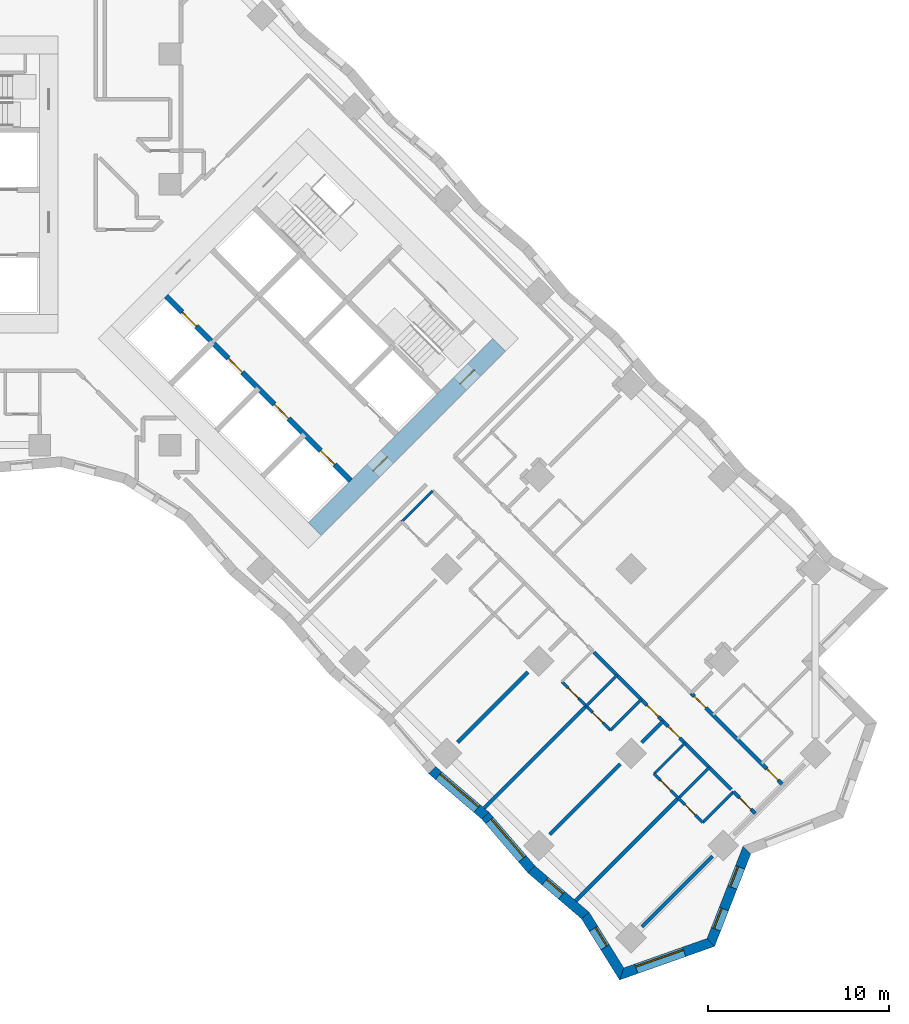
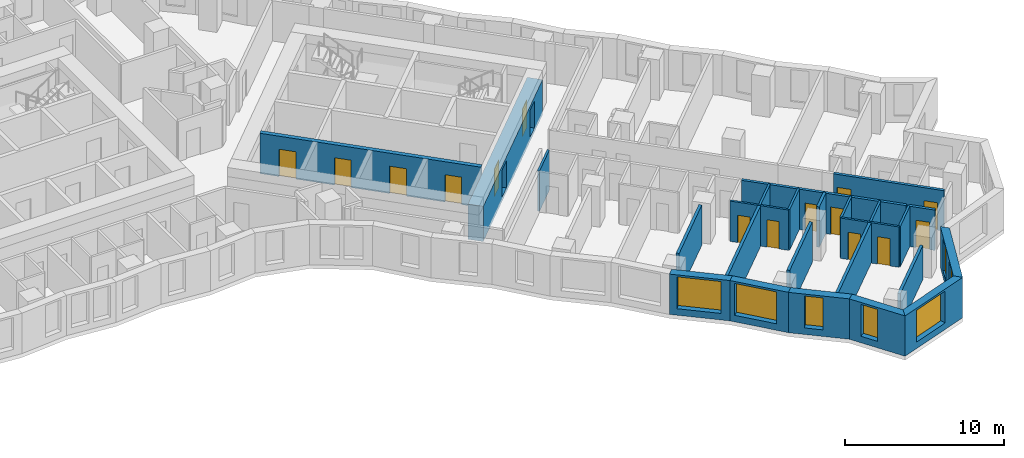
# One storey, part 8 of 15: 26 walls, 15 doors, 7 windows, 22 openings.
"""IFC4 building model written with IfcOpenShell, lengths in metres."""

import ifcopenshell
import ifcopenshell.guid

model = None  # the IFC model being written
_history = None  # IfcOwnerHistory: only IFC2X3 demands one
_inside = {}  # id of a spatial element -> (the spatial element, [elements in it])
_under = {}  # id of a project, library or spatial element -> (it, [spatial elements below it])
_declared = {}  # id of a project -> (the project, [libraries it declares])
_typed = {}  # id of a type object -> (the type object, [elements of that type])
_made_of = {}  # id of a material, layer set ... -> (it, [elements and type objects made of it])


def new_model(schema):
    """Start an empty IFC model of exactly this schema.

    Asked for "IFC4X3", IfcOpenShell would pick the latest addendum, in which some entities
    have other attributes; the version numbers below select the first issue.
    IFC2X3 requires an IfcOwnerHistory on every rooted entity: one is made here for all.
    """
    global model, _history
    if schema == "IFC4X3":
        model = ifcopenshell.file(schema_version=(4, 3, 0, 0))
    else:
        model = ifcopenshell.file(schema=schema)
    _inside.clear()
    _under.clear()
    _declared.clear()
    _typed.clear()
    _made_of.clear()
    _history = None
    if model.schema == "IFC2X3":
        org = make("IfcOrganization", Name="unknown")
        user = make(
            "IfcPersonAndOrganization",
            ThePerson=make("IfcPerson", FamilyName="unknown"),
            TheOrganization=org,
        )
        app = make(
            "IfcApplication",
            ApplicationDeveloper=org,
            Version="unknown",
            ApplicationFullName="unknown",
            ApplicationIdentifier="unknown",
        )
        _history = make(
            "IfcOwnerHistory",
            OwningUser=user,
            OwningApplication=app,
            ChangeAction="ADDED",
            CreationDate=0,
        )
    return model


def make(cls, **values):
    """One entity of the class cls with the attributes given. An attribute that is None is left unset."""
    return model.create_entity(
        cls, **{name: value for name, value in values.items() if value is not None}
    )


def rooted(cls, **values):
    """An entity with a GlobalId (a new one), such as an element, a storey or a relation."""
    return make(cls, GlobalId=ifcopenshell.guid.new(), OwnerHistory=_history, **values)


def si_unit(unit_type, name, prefix=None):
    """IfcSIUnit, for example si_unit("LENGTHUNIT", "METRE", prefix="MILLI")."""
    return make("IfcSIUnit", UnitType=unit_type, Prefix=prefix, Name=name)


def assignment(units):
    """IfcUnitAssignment: the units of a project."""
    return None if units is None else make("IfcUnitAssignment", Units=units)


def point(xyz):
    """IfcCartesianPoint."""
    return None if xyz is None else make("IfcCartesianPoint", Coordinates=xyz)


def direction(xyz):
    """IfcDirection."""
    return None if xyz is None else make("IfcDirection", DirectionRatios=xyz)


def frame(location, z_axis=None, x_axis=None):
    """IfcAxis2Placement3D, a coordinate frame: its origin and axes. An axis left out is left unset."""
    return make(
        "IfcAxis2Placement3D",
        Location=point(location),
        Axis=direction(z_axis),
        RefDirection=direction(x_axis),
    )


def frame_2d(location, x_axis=None):
    """IfcAxis2Placement2D, a coordinate frame in the plane: its origin and x axis."""
    return make(
        "IfcAxis2Placement2D", Location=point(location), RefDirection=direction(x_axis)
    )


def origin():
    """The frame at (0, 0, 0) with its axes left unset."""
    return frame((0.0, 0.0, 0.0))


def place(relative_to, where):
    """IfcLocalPlacement: puts the frame where relative to a parent placement (None: the world)."""
    return make(
        "IfcLocalPlacement", PlacementRelTo=relative_to, RelativePlacement=where
    )


def context(
    kind, dimensions, precision=None, world=None, true_north=None, identifier=None
):
    """IfcGeometricRepresentationContext, for example the 3D "Model" context."""
    return make(
        "IfcGeometricRepresentationContext",
        ContextIdentifier=identifier,
        ContextType=kind,
        CoordinateSpaceDimension=dimensions,
        Precision=precision,
        WorldCoordinateSystem=world,
        TrueNorth=true_north,
    )


def subcontext(parent, identifier, kind, view, scale=None):
    """IfcGeometricRepresentationSubContext, for example "Body" below "Model"."""
    return make(
        "IfcGeometricRepresentationSubContext",
        ContextIdentifier=identifier,
        ContextType=kind,
        ParentContext=parent,
        TargetScale=scale,
        TargetView=view,
    )


def project(units=None, contexts=None):
    """IfcProject with its units and contexts."""
    return rooted(
        "IfcProject",
        Name="project",
        RepresentationContexts=contexts,
        UnitsInContext=assignment(units),
    )


def spatial(cls, under=None, at=None, **own):
    """A site, building, storey or space (cls), placed at a placement, below another one or the project."""
    s = rooted(cls, ObjectPlacement=at, **own)
    if under is not None:
        _under.setdefault(under.id(), (under, []))[1].append(s)
    return s


def polyline(points):
    """IfcPolyline through the points."""
    return make("IfcPolyline", Points=[point(p) for p in points])


def profile(cls, at=None, kind="AREA", **sizes):
    """A parametric profile (cls). Its sizes go by their IFC names, for example OverallWidth=200.0."""
    return make(cls, ProfileType=kind, Position=at, **sizes)


def rectangle(**sizes):
    """IfcRectangleProfileDef."""
    return profile("IfcRectangleProfileDef", **sizes)


def outline(outer, holes=None, kind="AREA"):
    """IfcArbitraryClosedProfileDef: a profile drawn as a closed curve; with holes, ...WithVoids."""
    if holes is None:
        return make("IfcArbitraryClosedProfileDef", ProfileType=kind, OuterCurve=outer)
    return make(
        "IfcArbitraryProfileDefWithVoids",
        ProfileType=kind,
        OuterCurve=outer,
        InnerCurves=holes,
    )


def extrude(swept, where, along, depth):
    """IfcExtrudedAreaSolid: the profile swept, set in the frame where, extruded along a direction by depth."""
    return make(
        "IfcExtrudedAreaSolid",
        SweptArea=swept,
        Position=where,
        ExtrudedDirection=direction(along),
        Depth=depth,
    )


def shape(context_of_items, identifier, shape_type, items):
    """IfcShapeRepresentation: the items that make up one representation, for example the "Body"."""
    return make(
        "IfcShapeRepresentation",
        ContextOfItems=context_of_items,
        RepresentationIdentifier=identifier,
        RepresentationType=shape_type,
        Items=items,
    )


def material(Name=None, Category=None):
    """IfcMaterial."""
    return make("IfcMaterial", Name=Name, Category=Category)


def layer(
    of_material, thickness, ventilated=None, Name=None, Category=None, Priority=None
):
    """IfcMaterialLayer: one layer of a wall or slab, of a material (None: an air gap)."""
    return make(
        "IfcMaterialLayer",
        Material=of_material,
        LayerThickness=thickness,
        IsVentilated=ventilated,
        Name=Name,
        Category=Category,
        Priority=Priority,
    )


def layer_set(layers, Name=None):
    """IfcMaterialLayerSet."""
    return make("IfcMaterialLayerSet", MaterialLayers=layers, LayerSetName=Name)


def made_of(thing, what):
    """Note that an element or type object is made of a material, layer set ...; save() writes the relation."""
    if what is not None:
        _made_of.setdefault(what.id(), (what, []))[1].append(thing)
    return thing


def type_object(cls, material=None, **own):
    """A type object (cls), such as IfcWallType, which elements share."""
    return made_of(rooted(cls, **own), material)


def element(
    cls,
    number,
    at=None,
    inside=None,
    cuts=None,
    type_object=None,
    material=None,
    context=None,
    identifier="Body",
    shape_type=None,
    held_by="IfcProductDefinitionShape",
    body=None,
    shapes=None,
    **own,
):
    """One element of the class cls, such as IfcWall. Its Tag is "e" and its number.

    at: its placement. inside: the storey or other place that contains it. cuts: it is an
    opening in that element (IfcRelVoidsElement). A single representation is given by context,
    identifier, shape_type and body (its items); several are given by shapes. held_by: the class
    of the entity that holds the representations. save() writes the other relations.
    """
    e = rooted(cls, Tag="e%d" % number, ObjectPlacement=at, **own)
    if body is not None:
        shapes = [shape(context, identifier, shape_type, body)]
    if shapes is not None:
        e.Representation = make(held_by, Representations=shapes)
    if inside is not None:
        _inside.setdefault(inside.id(), (inside, []))[1].append(e)
    if cuts is not None:
        rooted(
            "IfcRelVoidsElement", RelatingBuildingElement=cuts, RelatedOpeningElement=e
        )
    if type_object is not None:
        _typed.setdefault(type_object.id(), (type_object, []))[1].append(e)
    return made_of(e, material)


def fill(opening, filler):
    """IfcRelFillsElement: the door or window that sits in an opening."""
    return rooted(
        "IfcRelFillsElement",
        RelatingOpeningElement=opening,
        RelatedBuildingElement=filler,
    )


def aggregate(whole, parts):
    """IfcRelAggregates: a whole, such as a stair, and the parts it consists of."""
    return rooted("IfcRelAggregates", RelatingObject=whole, RelatedObjects=parts)


def save(model, path):
    """Write the relations noted so far, then the file.

    IfcRelAggregates (storeys below a building ...), IfcRelContainedInSpatialStructure (elements
    in a storey), IfcRelDefinesByType, IfcRelAssociatesMaterial and IfcRelDeclares: one each for
    every whole, place, type object, material and project.
    """
    for whole, parts in _under.values():
        aggregate(whole, parts)
    for where, things in _inside.values():
        rooted(
            "IfcRelContainedInSpatialStructure",
            RelatedElements=things,
            RelatingStructure=where,
        )
    for kind, things in _typed.values():
        rooted("IfcRelDefinesByType", RelatedObjects=things, RelatingType=kind)
    for what, things in _made_of.values():
        rooted("IfcRelAssociatesMaterial", RelatedObjects=things, RelatingMaterial=what)
    for by, libraries in _declared.values():
        rooted("IfcRelDeclares", RelatingContext=by, RelatedDefinitions=libraries)
    model.write(path)


model = new_model("IFC4")

# Units and contexts
model_context = context("Model", 3, precision=1e-05, world=origin(), true_north=direction((0.0, 1.0)))
body_context = subcontext(model_context, "Body", "Model", "MODEL_VIEW")
ifc_project = project(units=[si_unit("LENGTHUNIT", "METRE"), si_unit("AREAUNIT", "SQUARE_METRE"), si_unit("VOLUMEUNIT", "CUBIC_METRE"), si_unit("PLANEANGLEUNIT", "RADIAN"), si_unit("MASSUNIT", "GRAM", prefix="KILO")], contexts=[model_context])

# Site, building, storey
site_placement = place(None, origin())
site = spatial("IfcSite", under=ifc_project, at=site_placement, CompositionType="ELEMENT")
building_placement = place(site_placement, origin())
building = spatial("IfcBuilding", under=site, at=building_placement, Name="Windrow Commons", CompositionType="ELEMENT")
storey_placement = place(building_placement, frame((0.0, 0.0, 27.0)))
storey = spatial("IfcBuildingStorey", under=building, at=storey_placement, Name="L06", CompositionType="ELEMENT", Elevation=27.0)

# Wall, opening, window
ifc_material_1 = material(Name="Brick masonry, red clay brick", Category="masonry")
ifc_layer_1 = layer(ifc_material_1, 0.55)
ifc_layer_set_1 = layer_set([ifc_layer_1], Name="Brick facade wall 550")
wall_type_1 = type_object("IfcWallType", Name="Brick facade wall 550", PredefinedType="SOLIDWALL", material=ifc_layer_set_1)
wall_1_placement = place(storey_placement, frame((104.1359, 13.9966, 0.0), z_axis=(0.0, 0.0, 1.0), x_axis=(0.9428162702, 0.3333128871, 0.0)))
wall_1 = element("IfcWall", 1, at=wall_1_placement, inside=storey, type_object=wall_type_1, Name="Brick facade wall L06 1", PredefinedType="SOLIDWALL", context=body_context, shape_type="SweptSolid", body=[
    extrude(outline(polyline([(-0.2208, -0.275), (5.3479, -0.275), (5.0962, 0.275), (0.2208, 0.275), (-0.2208, -0.275)])), origin(), (0.0, 0.0, 1.0), 3.1),
])
opening_1_placement = place(wall_1_placement, frame((0.8596, 0.0, 0.5)))
opening_1 = element("IfcOpeningElement", 2, at=opening_1_placement, cuts=wall_1, Name="Opening W1T", PredefinedType="OPENING", context=body_context, shape_type="SweptSolid", body=[
    extrude(rectangle(XDim=2.8, YDim=2.45, at=frame_2d((1.4, 1.225))), frame((0.0, 0.285, 0.0), z_axis=(0.0, -1.0, 0.0), x_axis=(1.0, 0.0, 0.0)), (0.0, 0.0, 1.0), 0.57),
])
ifc_material_2 = material(Name="Clear float glass in anodised aluminium frame", Category="aluminium")
window_type_1 = type_object("IfcWindowType", Name="Window W1T bedroom 2800x2450", PartitioningType="SINGLE_PANEL", PredefinedType="WINDOW", material=ifc_material_2)
window_1_placement = place(opening_1_placement, origin())
window_1 = element("IfcWindow", 3, at=window_1_placement, inside=storey, type_object=window_type_1, Name="Window L06 1.1", OverallHeight=2.45, OverallWidth=2.8, PartitioningType="SINGLE_PANEL", PredefinedType="WINDOW", context=body_context, shape_type="SweptSolid", body=[
    extrude(rectangle(XDim=2.8, YDim=2.45, at=frame_2d((1.4, 1.225))), frame((0.0, 0.155, 0.0), z_axis=(0.0, -1.0, 0.0), x_axis=(1.0, 0.0, 0.0)), (0.0, 0.0, 1.0), 0.06),
])
fill(opening_1, window_1)

# Wall, openings, windows
wall_2_placement = place(storey_placement, frame((109.0594, 15.7372, 0.0), z_axis=(0.0, 0.0, 1.0), x_axis=(0.3641557711, 0.9313380559, 0.0)))
wall_2 = element("IfcWall", 4, at=wall_2_placement, inside=storey, type_object=wall_type_1, Name="Brick facade wall L06 2", PredefinedType="SOLIDWALL", context=body_context, shape_type="SweptSolid", body=[
    extrude(outline(polyline([(-0.1258, -0.275), (5.3597, -0.275), (5.6005, 0.275), (0.1258, 0.275), (-0.1258, -0.275)])), origin(), (0.0, 0.0, 1.0), 3.1),
])
opening_2_placement = place(wall_2_placement, frame((0.7777, 0.0, 0.5)))
opening_2 = element("IfcOpeningElement", 5, at=opening_2_placement, cuts=wall_2, Name="Opening W7D", PredefinedType="OPENING", context=body_context, shape_type="SweptSolid", body=[
    extrude(rectangle(XDim=1.2, YDim=2.45, at=frame_2d((0.6, 1.225))), frame((0.0, 0.285, 0.0), z_axis=(0.0, -1.0, 0.0), x_axis=(1.0, 0.0, 0.0)), (0.0, 0.0, 1.0), 0.57),
])
opening_3_placement = place(wall_2_placement, frame((3.2549, 0.0, 0.5)))
opening_3 = element("IfcOpeningElement", 6, at=opening_3_placement, cuts=wall_2, Name="Opening W7D", PredefinedType="OPENING", context=body_context, shape_type="SweptSolid", body=[
    extrude(rectangle(XDim=1.2, YDim=2.45, at=frame_2d((0.6, 1.225))), frame((0.0, 0.285, 0.0), z_axis=(0.0, -1.0, 0.0), x_axis=(1.0, 0.0, 0.0)), (0.0, 0.0, 1.0), 0.57),
])
ifc_material_3 = material(Name="Clear float glass in anodised aluminium frame", Category="aluminium")
window_type_2 = type_object("IfcWindowType", Name="Window W7 notch 1200x2450", PartitioningType="SINGLE_PANEL", PredefinedType="WINDOW", material=ifc_material_3)
window_2_placement = place(opening_2_placement, origin())
window_2 = element("IfcWindow", 7, at=window_2_placement, inside=storey, type_object=window_type_2, Name="Window L06 2.1", OverallHeight=2.45, OverallWidth=1.2, PartitioningType="SINGLE_PANEL", PredefinedType="WINDOW", context=body_context, shape_type="SweptSolid", body=[
    extrude(rectangle(XDim=1.2, YDim=2.45, at=frame_2d((0.6, 1.225))), frame((0.0, 0.155, 0.0), z_axis=(0.0, -1.0, 0.0), x_axis=(1.0, 0.0, 0.0)), (0.0, 0.0, 1.0), 0.06),
])
fill(opening_2, window_2)
window_3_placement = place(opening_3_placement, origin())
window_3 = element("IfcWindow", 8, at=window_3_placement, inside=storey, type_object=window_type_2, Name="Window L06 2.2", OverallHeight=2.45, OverallWidth=1.2, PartitioningType="SINGLE_PANEL", PredefinedType="WINDOW", context=body_context, shape_type="SweptSolid", body=[
    extrude(rectangle(XDim=1.2, YDim=2.45, at=frame_2d((0.6, 1.225))), frame((0.0, 0.155, 0.0), z_axis=(0.0, -1.0, 0.0), x_axis=(1.0, 0.0, 0.0)), (0.0, 0.0, 1.0), 0.06),
])
fill(opening_3, window_3)

# Wall, opening, window
wall_3_placement = place(storey_placement, frame((93.6642, 25.2575, 0.0), z_axis=(0.0, 0.0, 1.0), x_axis=(0.7595050452, -0.6505014115, 0.0)))
wall_3 = element("IfcWall", 9, at=wall_3_placement, inside=storey, type_object=wall_type_1, Name="Brick facade wall L06 60", PredefinedType="SOLIDWALL", context=body_context, shape_type="SweptSolid", body=[
    extrude(outline(polyline([(-0.0213, -0.275), (3.8704, -0.275), (3.9129, 0.275), (0.0213, 0.275), (-0.0213, -0.275)])), origin(), (0.0, 0.0, 1.0), 3.1),
])
opening_4_placement = place(wall_3_placement, frame((0.4761, 0.0, 0.5)))
opening_4 = element("IfcOpeningElement", 10, at=opening_4_placement, cuts=wall_3, Name="Opening W1T", PredefinedType="OPENING", context=body_context, shape_type="SweptSolid", body=[
    extrude(rectangle(XDim=2.8, YDim=2.45, at=frame_2d((1.4, 1.225))), frame((0.0, 0.285, 0.0), z_axis=(0.0, -1.0, 0.0), x_axis=(1.0, 0.0, 0.0)), (0.0, 0.0, 1.0), 0.57),
])
window_4_placement = place(opening_4_placement, origin())
window_4 = element("IfcWindow", 11, at=window_4_placement, inside=storey, type_object=window_type_1, Name="Window L06 60.1", OverallHeight=2.45, OverallWidth=2.8, PartitioningType="SINGLE_PANEL", PredefinedType="WINDOW", context=body_context, shape_type="SweptSolid", body=[
    extrude(rectangle(XDim=2.8, YDim=2.45, at=frame_2d((1.4, 1.225))), frame((0.0, 0.155, 0.0), z_axis=(0.0, -1.0, 0.0), x_axis=(1.0, 0.0, 0.0)), (0.0, 0.0, 1.0), 0.06),
])
fill(opening_4, window_4)

wall_4_placement = place(storey_placement, frame((96.6199, 22.726, 0.0), z_axis=(0.0, 0.0, 1.0), x_axis=(0.6505014115, -0.7595050452, 0.0)))
wall_4 = element("IfcWall", 12, at=wall_4_placement, inside=storey, type_object=wall_type_1, Name="Brick facade wall L06 61", PredefinedType="SOLIDWALL", context=body_context, shape_type="SweptSolid", body=[
    extrude(outline(polyline([(0.0213, -0.275), (3.9129, -0.275), (3.8704, 0.275), (-0.0213, 0.275), (0.0213, -0.275)])), origin(), (0.0, 0.0, 1.0), 3.1),
])
opening_5_placement = place(wall_4_placement, frame((0.325, 0.0, 0.5)))
opening_5 = element("IfcOpeningElement", 13, at=opening_5_placement, cuts=wall_4, Name="Opening W1T", PredefinedType="OPENING", context=body_context, shape_type="SweptSolid", body=[
    extrude(rectangle(XDim=2.8, YDim=2.45, at=frame_2d((1.4, 1.225))), frame((0.0, 0.285, 0.0), z_axis=(0.0, -1.0, 0.0), x_axis=(1.0, 0.0, 0.0)), (0.0, 0.0, 1.0), 0.57),
])
window_5_placement = place(opening_5_placement, origin())
window_5 = element("IfcWindow", 14, at=window_5_placement, inside=storey, type_object=window_type_1, Name="Window L06 61.1", OverallHeight=2.45, OverallWidth=2.8, PartitioningType="SINGLE_PANEL", PredefinedType="WINDOW", context=body_context, shape_type="SweptSolid", body=[
    extrude(rectangle(XDim=2.8, YDim=2.45, at=frame_2d((1.4, 1.225))), frame((0.0, 0.155, 0.0), z_axis=(0.0, -1.0, 0.0), x_axis=(1.0, 0.0, 0.0)), (0.0, 0.0, 1.0), 0.06),
])
fill(opening_5, window_5)

wall_5_placement = place(storey_placement, frame((99.1514, 19.7703, 0.0), z_axis=(0.0, 0.0, 1.0), x_axis=(0.7595163258, -0.6504882403, 0.0)))
wall_5 = element("IfcWall", 15, at=wall_5_placement, inside=storey, type_object=wall_type_1, Name="Brick facade wall L06 62", PredefinedType="SOLIDWALL", context=body_context, shape_type="SweptSolid", body=[
    extrude(outline(polyline([(-0.0213, -0.275), (3.8704, -0.275), (3.955, 0.275), (0.0213, 0.275), (-0.0213, -0.275)])), origin(), (0.0, 0.0, 1.0), 3.1),
])
opening_6_placement = place(wall_5_placement, frame((0.9951, 0.0, 0.5)))
opening_6 = element("IfcOpeningElement", 16, at=opening_6_placement, cuts=wall_5, Name="Opening W7D", PredefinedType="OPENING", context=body_context, shape_type="SweptSolid", body=[
    extrude(rectangle(XDim=1.2, YDim=2.45, at=frame_2d((0.6, 1.225))), frame((0.0, 0.285, 0.0), z_axis=(0.0, -1.0, 0.0), x_axis=(1.0, 0.0, 0.0)), (0.0, 0.0, 1.0), 0.57),
])
window_6_placement = place(opening_6_placement, origin())
window_6 = element("IfcWindow", 17, at=window_6_placement, inside=storey, type_object=window_type_2, Name="Window L06 62.1", OverallHeight=2.45, OverallWidth=1.2, PartitioningType="SINGLE_PANEL", PredefinedType="WINDOW", context=body_context, shape_type="SweptSolid", body=[
    extrude(rectangle(XDim=1.2, YDim=2.45, at=frame_2d((0.6, 1.225))), frame((0.0, 0.155, 0.0), z_axis=(0.0, -1.0, 0.0), x_axis=(1.0, 0.0, 0.0)), (0.0, 0.0, 1.0), 0.06),
])
fill(opening_6, window_6)

wall_6_placement = place(storey_placement, frame((102.1232, 17.2251, 0.0), z_axis=(0.0, 0.0, 1.0), x_axis=(0.5290322638, -0.848601711, 0.0)))
wall_6 = element("IfcWall", 18, at=wall_6_placement, inside=storey, type_object=wall_type_1, Name="Brick facade wall L06 63", PredefinedType="SOLIDWALL", context=body_context, shape_type="SweptSolid", body=[
    extrude(outline(polyline([(0.0423, -0.275), (4.0254, -0.275), (3.5837, 0.275), (-0.0423, 0.275), (0.0423, -0.275)])), origin(), (0.0, 0.0, 1.0), 3.1),
])
opening_7_placement = place(wall_6_placement, frame((0.8649, 0.0, 0.5)))
opening_7 = element("IfcOpeningElement", 19, at=opening_7_placement, cuts=wall_6, Name="Opening W7D", PredefinedType="OPENING", context=body_context, shape_type="SweptSolid", body=[
    extrude(rectangle(XDim=1.2, YDim=2.45, at=frame_2d((0.6, 1.225))), frame((0.0, 0.285, 0.0), z_axis=(0.0, -1.0, 0.0), x_axis=(1.0, 0.0, 0.0)), (0.0, 0.0, 1.0), 0.57),
])
window_7_placement = place(opening_7_placement, origin())
window_7 = element("IfcWindow", 20, at=window_7_placement, inside=storey, type_object=window_type_2, Name="Window L06 63.1", OverallHeight=2.45, OverallWidth=1.2, PartitioningType="SINGLE_PANEL", PredefinedType="WINDOW", context=body_context, shape_type="SweptSolid", body=[
    extrude(rectangle(XDim=1.2, YDim=2.45, at=frame_2d((0.6, 1.225))), frame((0.0, 0.155, 0.0), z_axis=(0.0, -1.0, 0.0), x_axis=(1.0, 0.0, 0.0)), (0.0, 0.0, 1.0), 0.06),
])
fill(opening_7, window_7)

# Wall, openings, doors
ifc_material_4 = material(Name="Blockwork partition", Category="masonry")
ifc_layer_2 = layer(ifc_material_4, 0.2)
ifc_layer_set_2 = layer_set([ifc_layer_2], Name="IW-CORRIDOR-200")
wall_type_2 = type_object("IfcWallType", Name="IW-CORRIDOR-200", PredefinedType="PARTITIONING", material=ifc_layer_set_2)
wall_7_placement = place(storey_placement, frame((102.6093, 31.7693, 0.0), z_axis=(0.0, 0.0, 1.0), x_axis=(0.7071067812, -0.7071067812, 0.0)))
wall_7 = element("IfcWall", 21, at=wall_7_placement, inside=storey, type_object=wall_type_2, Name="W-L06-W006", PredefinedType="PARTITIONING", context=body_context, shape_type="SweptSolid", body=[
    extrude(rectangle(XDim=10.7226, YDim=0.2, at=frame_2d((5.3613, 0.0))), origin(), (0.0, 0.0, 1.0), 3.1),
])
opening_8_placement = place(wall_7_placement, frame((4.1497, 0.0, 0.0)))
opening_8 = element("IfcOpeningElement", 22, at=opening_8_placement, cuts=wall_7, Name="Opening D109S", PredefinedType="OPENING", context=body_context, shape_type="SweptSolid", body=[
    extrude(rectangle(XDim=0.9, YDim=2.1, at=frame_2d((0.45, 1.05))), frame((0.0, 0.11, 0.0), z_axis=(0.0, -1.0, 0.0), x_axis=(1.0, 0.0, 0.0)), (0.0, 0.0, 1.0), 0.22),
])
opening_9_placement = place(wall_7_placement, frame((5.7997, 0.0, 0.0)))
opening_9 = element("IfcOpeningElement", 23, at=opening_9_placement, cuts=wall_7, Name="Opening D109S", PredefinedType="OPENING", context=body_context, shape_type="SweptSolid", body=[
    extrude(rectangle(XDim=0.9, YDim=2.1, at=frame_2d((0.45, 1.05))), frame((0.0, 0.11, 0.0), z_axis=(0.0, -1.0, 0.0), x_axis=(1.0, 0.0, 0.0)), (0.0, 0.0, 1.0), 0.22),
])
ifc_material_5 = material(Name="Timber door leaf", Category="wood")
door_type_1 = type_object("IfcDoorType", Name="DT-BEDROOM-900", OperationType="SINGLE_SWING_LEFT", PredefinedType="DOOR", material=ifc_material_5)
door_1_placement = place(opening_8_placement, origin())
door_1 = element("IfcDoor", 24, at=door_1_placement, inside=storey, type_object=door_type_1, Name="D-L06-D065", OperationType="SINGLE_SWING_LEFT", OverallHeight=2.1, OverallWidth=0.9, PredefinedType="DOOR", context=body_context, shape_type="SweptSolid", body=[
    extrude(rectangle(XDim=0.9, YDim=2.1, at=frame_2d((0.45, 1.05))), frame((0.0, 0.025, 0.0), z_axis=(0.0, -1.0, 0.0), x_axis=(1.0, 0.0, 0.0)), (0.0, 0.0, 1.0), 0.05),
])
fill(opening_8, door_1)
door_2_placement = place(opening_9_placement, origin())
door_2 = element("IfcDoor", 25, at=door_2_placement, inside=storey, type_object=door_type_1, Name="D-L06-D067", OperationType="SINGLE_SWING_RIGHT", OverallHeight=2.1, OverallWidth=0.9, PredefinedType="DOOR", context=body_context, shape_type="SweptSolid", body=[
    extrude(rectangle(XDim=0.9, YDim=2.1, at=frame_2d((0.45, 1.05))), frame((0.0, 0.025, 0.0), z_axis=(0.0, -1.0, 0.0), x_axis=(1.0, 0.0, 0.0)), (0.0, 0.0, 1.0), 0.05),
])
fill(opening_9, door_2)

wall_8_placement = place(storey_placement, frame((107.9769, 29.4989, 0.0), z_axis=(0.0, 0.0, 1.0), x_axis=(0.7071067812, -0.7071067812, 0.0)))
wall_8 = element("IfcWall", 26, at=wall_8_placement, inside=storey, type_object=wall_type_2, Name="W-L06-W024", PredefinedType="PARTITIONING", context=body_context, shape_type="SweptSolid", body=[
    extrude(rectangle(XDim=7.1983, YDim=0.2, at=frame_2d((3.5991, 0.0))), origin(), (0.0, 0.0, 1.0), 3.1),
])
opening_10_placement = place(wall_8_placement, frame((0.2472, 0.0, 0.0)))
opening_10 = element("IfcOpeningElement", 27, at=opening_10_placement, cuts=wall_8, Name="Opening D109S", PredefinedType="OPENING", context=body_context, shape_type="SweptSolid", body=[
    extrude(rectangle(XDim=0.9, YDim=2.1, at=frame_2d((0.45, 1.05))), frame((0.0, 0.11, 0.0), z_axis=(0.0, -1.0, 0.0), x_axis=(1.0, 0.0, 0.0)), (0.0, 0.0, 1.0), 0.22),
])
opening_11_placement = place(wall_8_placement, frame((5.8988, 0.0, 0.0)))
opening_11 = element("IfcOpeningElement", 28, at=opening_11_placement, cuts=wall_8, Name="Opening D109S", PredefinedType="OPENING", context=body_context, shape_type="SweptSolid", body=[
    extrude(rectangle(XDim=0.9, YDim=2.1, at=frame_2d((0.45, 1.05))), frame((0.0, 0.11, 0.0), z_axis=(0.0, -1.0, 0.0), x_axis=(1.0, 0.0, 0.0)), (0.0, 0.0, 1.0), 0.22),
])
door_3_placement = place(opening_10_placement, origin())
door_3 = element("IfcDoor", 29, at=door_3_placement, inside=storey, type_object=door_type_1, Name="D-L06-D055", OperationType="SINGLE_SWING_LEFT", OverallHeight=2.1, OverallWidth=0.9, PredefinedType="DOOR", context=body_context, shape_type="SweptSolid", body=[
    extrude(rectangle(XDim=0.9, YDim=2.1, at=frame_2d((0.45, 1.05))), frame((0.0, 0.025, 0.0), z_axis=(0.0, -1.0, 0.0), x_axis=(1.0, 0.0, 0.0)), (0.0, 0.0, 1.0), 0.05),
])
fill(opening_10, door_3)
door_4_placement = place(opening_11_placement, origin())
door_4 = element("IfcDoor", 30, at=door_4_placement, inside=storey, type_object=door_type_1, Name="D-L06-D071", OperationType="SINGLE_SWING_RIGHT", OverallHeight=2.1, OverallWidth=0.9, PredefinedType="DOOR", context=body_context, shape_type="SweptSolid", body=[
    extrude(rectangle(XDim=0.9, YDim=2.1, at=frame_2d((0.45, 1.05))), frame((0.0, 0.025, 0.0), z_axis=(0.0, -1.0, 0.0), x_axis=(1.0, 0.0, 0.0)), (0.0, 0.0, 1.0), 0.05),
])
fill(opening_11, door_4)

# Wall, opening, door
wall_9_placement = place(storey_placement, frame((110.3092, 24.0552, 0.0), z_axis=(0.0, 0.0, 1.0), x_axis=(0.7071067812, -0.7071067812, 0.0)))
wall_9 = element("IfcWall", 31, at=wall_9_placement, inside=storey, type_object=wall_type_2, Name="W-L06-W164", PredefinedType="PARTITIONING", context=body_context, shape_type="SweptSolid", body=[
    extrude(rectangle(XDim=1.6999, YDim=0.2, at=frame_2d((0.8499, 0.0))), origin(), (0.0, 0.0, 1.0), 3.1),
])
opening_12_placement = place(wall_9_placement, frame((0.4665, 0.0, 0.0)))
opening_12 = element("IfcOpeningElement", 32, at=opening_12_placement, cuts=wall_9, Name="Opening D109S", PredefinedType="OPENING", context=body_context, shape_type="SweptSolid", body=[
    extrude(rectangle(XDim=0.9, YDim=2.1, at=frame_2d((0.45, 1.05))), frame((0.0, 0.11, 0.0), z_axis=(0.0, -1.0, 0.0), x_axis=(1.0, 0.0, 0.0)), (0.0, 0.0, 1.0), 0.22),
])
door_5_placement = place(opening_12_placement, origin())
door_5 = element("IfcDoor", 33, at=door_5_placement, inside=storey, type_object=door_type_1, Name="D-L06-D069", OperationType="SINGLE_SWING_LEFT", OverallHeight=2.1, OverallWidth=0.9, PredefinedType="DOOR", context=body_context, shape_type="SweptSolid", body=[
    extrude(rectangle(XDim=0.9, YDim=2.1, at=frame_2d((0.45, 1.05))), frame((0.0, 0.025, 0.0), z_axis=(0.0, -1.0, 0.0), x_axis=(1.0, 0.0, 0.0)), (0.0, 0.0, 1.0), 0.05),
])
fill(opening_12, door_5)

# Wall, openings, doors
ifc_material_6 = material(Name="Blockwork partition", Category="masonry")
ifc_layer_3 = layer(ifc_material_6, 0.15)
ifc_layer_set_3 = layer_set([ifc_layer_3], Name="IW-ENSUITE-150")
wall_type_3 = type_object("IfcWallType", Name="IW-ENSUITE-150", PredefinedType="PARTITIONING", material=ifc_layer_set_3)
wall_10_placement = place(storey_placement, frame((100.8361, 30.1381, 0.0), z_axis=(0.0, 0.0, 1.0), x_axis=(0.7065802685, -0.7076329021, 0.0)))
wall_10 = element("IfcWall", 34, at=wall_10_placement, inside=storey, type_object=wall_type_3, Name="W-L06-W065", PredefinedType="PARTITIONING", context=body_context, shape_type="SweptSolid", body=[
    extrude(rectangle(XDim=3.8, YDim=0.15, at=frame_2d((1.9, 0.0))), origin(), (0.0, 0.0, 1.0), 3.1),
])
opening_13_placement = place(wall_10_placement, frame((0.4932, 0.0, 0.0)))
opening_13 = element("IfcOpeningElement", 35, at=opening_13_placement, cuts=wall_10, Name="Opening D208N", PredefinedType="OPENING", context=body_context, shape_type="SweptSolid", body=[
    extrude(rectangle(XDim=0.8, YDim=2.1, at=frame_2d((0.4, 1.05))), frame((0.0, 0.085, 0.0), z_axis=(0.0, -1.0, 0.0), x_axis=(1.0, 0.0, 0.0)), (0.0, 0.0, 1.0), 0.17),
])
opening_14_placement = place(wall_10_placement, frame((2.4022, 0.0, 0.0)))
opening_14 = element("IfcOpeningElement", 36, at=opening_14_placement, cuts=wall_10, Name="Opening D208N", PredefinedType="OPENING", context=body_context, shape_type="SweptSolid", body=[
    extrude(rectangle(XDim=0.8, YDim=2.1, at=frame_2d((0.4, 1.05))), frame((0.0, 0.085, 0.0), z_axis=(0.0, -1.0, 0.0), x_axis=(1.0, 0.0, 0.0)), (0.0, 0.0, 1.0), 0.17),
])
ifc_material_7 = material(Name="Timber door leaf", Category="wood")
door_type_2 = type_object("IfcDoorType", Name="DT-ENSUITE-800", OperationType="SINGLE_SWING_LEFT", PredefinedType="DOOR", material=ifc_material_7)
door_6_placement = place(opening_13_placement, origin())
door_6 = element("IfcDoor", 37, at=door_6_placement, inside=storey, type_object=door_type_2, Name="D-L06-D064", OperationType="SINGLE_SWING_RIGHT", OverallHeight=2.1, OverallWidth=0.8, PredefinedType="DOOR", context=body_context, shape_type="SweptSolid", body=[
    extrude(rectangle(XDim=0.8, YDim=2.1, at=frame_2d((0.4, 1.05))), frame((0.0, 0.025, 0.0), z_axis=(0.0, -1.0, 0.0), x_axis=(1.0, 0.0, 0.0)), (0.0, 0.0, 1.0), 0.05),
])
fill(opening_13, door_6)
door_7_placement = place(opening_14_placement, origin())
door_7 = element("IfcDoor", 38, at=door_7_placement, inside=storey, type_object=door_type_2, Name="D-L06-D066", OperationType="SINGLE_SWING_RIGHT", OverallHeight=2.1, OverallWidth=0.8, PredefinedType="DOOR", context=body_context, shape_type="SweptSolid", body=[
    extrude(rectangle(XDim=0.8, YDim=2.1, at=frame_2d((0.4, 1.05))), frame((0.0, 0.025, 0.0), z_axis=(0.0, -1.0, 0.0), x_axis=(1.0, 0.0, 0.0)), (0.0, 0.0, 1.0), 0.05),
])
fill(opening_14, door_7)

# Walls
for number, where, z_axis, x_axis, name in (
    (39, (103.5233, 27.4527, 0.0), (0.0, 0.0, 1.0), (0.7071067812, 0.7071067812, 0.0), "W-L06-W080"),
    (40, (105.9274, 25.0486, 0.0), (0.0, 0.0, 1.0), (0.7071067812, 0.7071067812, 0.0), "W-L06-W081"),
    (41, (91.9974, 38.9786, 0.0), (0.0, 0.0, 1.0), (0.7071067812, 0.7071067812, 0.0), "W-L06-W082"),
    (42, (107.2709, 23.7051, 0.0), (0.0, 0.0, 1.0), (0.7071067812, 0.7071067812, 0.0), "W-L06-W083"),
):
    element("IfcWall", number, at=place(storey_placement, frame(where, z_axis=z_axis, x_axis=x_axis)), inside=storey, type_object=wall_type_3, Name=name, PredefinedType="PARTITIONING", context=body_context, shape_type="SweptSolid", body=[
        extrude(rectangle(XDim=2.4013, YDim=0.15, at=frame_2d((1.2006, 0.0))), origin(), (0.0, 0.0, 1.0), 3.1),
    ])
for number, where, z_axis, x_axis, name in (
    (43, (108.6154, 22.3626, 0.0), (0.0, 0.0, 1.0), (0.7071067812, 0.7071067812, 0.0), "W-L06-W124"),
    (44, (102.1808, 28.7972, 0.0), (0.0, 0.0, 1.0), (0.7071067812, 0.7071067812, 0.0), "W-L06-W126"),
):
    element("IfcWall", number, at=place(storey_placement, frame(where, z_axis=z_axis, x_axis=x_axis)), inside=storey, type_object=wall_type_3, Name=name, PredefinedType="PARTITIONING", context=body_context, shape_type="SweptSolid", body=[
        extrude(rectangle(XDim=2.3985, YDim=0.15, at=frame_2d((1.1992, 0.0))), origin(), (0.0, 0.0, 1.0), 3.1),
    ])

# Wall, opening, door
wall_11_placement = place(storey_placement, frame((105.9252, 25.0452, 0.0), z_axis=(0.0, 0.0, 1.0), x_axis=(0.7071067812, -0.7071067812, 0.0)))
wall_11 = element("IfcWall", 45, at=wall_11_placement, inside=storey, type_object=wall_type_3, Name="W-L06-W136", PredefinedType="PARTITIONING", context=body_context, shape_type="SweptSolid", body=[
    extrude(rectangle(XDim=1.9007, YDim=0.15, at=frame_2d((0.9504, 0.0))), origin(), (0.0, 0.0, 1.0), 3.1),
])
opening_15_placement = place(wall_11_placement, frame((0.4935, 0.0, 0.0)))
opening_15 = element("IfcOpeningElement", 46, at=opening_15_placement, cuts=wall_11, Name="Opening D208N", PredefinedType="OPENING", context=body_context, shape_type="SweptSolid", body=[
    extrude(rectangle(XDim=0.8, YDim=2.1, at=frame_2d((0.4, 1.05))), frame((0.0, 0.085, 0.0), z_axis=(0.0, -1.0, 0.0), x_axis=(1.0, 0.0, 0.0)), (0.0, 0.0, 1.0), 0.17),
])
door_8_placement = place(opening_15_placement, origin())
door_8 = element("IfcDoor", 47, at=door_8_placement, inside=storey, type_object=door_type_2, Name="D-L06-D068", OperationType="SINGLE_SWING_RIGHT", OverallHeight=2.1, OverallWidth=0.8, PredefinedType="DOOR", context=body_context, shape_type="SweptSolid", body=[
    extrude(rectangle(XDim=0.8, YDim=2.1, at=frame_2d((0.4, 1.05))), frame((0.0, 0.025, 0.0), z_axis=(0.0, -1.0, 0.0), x_axis=(1.0, 0.0, 0.0)), (0.0, 0.0, 1.0), 0.05),
])
fill(opening_15, door_8)

wall_12_placement = place(storey_placement, frame((107.272, 23.704, 0.0), z_axis=(0.0, 0.0, 1.0), x_axis=(0.7076330979, -0.7065800724, 0.0)))
wall_12 = element("IfcWall", 48, at=wall_12_placement, inside=storey, type_object=wall_type_3, Name="W-L06-W155", PredefinedType="PARTITIONING", context=body_context, shape_type="SweptSolid", body=[
    extrude(rectangle(XDim=1.8993, YDim=0.15, at=frame_2d((0.9496, 0.0))), origin(), (0.0, 0.0, 1.0), 3.1),
])
opening_16_placement = place(wall_12_placement, frame((0.5032, 0.0, 0.0)))
opening_16 = element("IfcOpeningElement", 49, at=opening_16_placement, cuts=wall_12, Name="Opening D208N", PredefinedType="OPENING", context=body_context, shape_type="SweptSolid", body=[
    extrude(rectangle(XDim=0.8, YDim=2.1, at=frame_2d((0.4, 1.05))), frame((0.0, 0.085, 0.0), z_axis=(0.0, -1.0, 0.0), x_axis=(1.0, 0.0, 0.0)), (0.0, 0.0, 1.0), 0.17),
])
door_9_placement = place(opening_16_placement, origin())
door_9 = element("IfcDoor", 50, at=door_9_placement, inside=storey, type_object=door_type_2, Name="D-L06-D070", OperationType="SINGLE_SWING_RIGHT", OverallHeight=2.1, OverallWidth=0.8, PredefinedType="DOOR", context=body_context, shape_type="SweptSolid", body=[
    extrude(rectangle(XDim=0.8, YDim=2.1, at=frame_2d((0.4, 1.05))), frame((0.0, 0.025, 0.0), z_axis=(0.0, -1.0, 0.0), x_axis=(1.0, 0.0, 0.0)), (0.0, 0.0, 1.0), 0.05),
])
fill(opening_16, door_9)

# Walls
ifc_material_8 = material(Name="Blockwork partition", Category="masonry")
ifc_layer_4 = layer(ifc_material_8, 0.2)
ifc_layer_set_4 = layer_set([ifc_layer_4], Name="IW-PARTY-200")
wall_type_4 = type_object("IfcWallType", Name="IW-PARTY-200", PredefinedType="PARTITIONING", material=ifc_layer_set_4)
wall_13_placement = place(storey_placement, frame((101.5969, 18.0379, 0.0), z_axis=(0.0, 0.0, 1.0), x_axis=(0.7072439346, 0.7069696012, 0.0)))
element("IfcWall", 51, at=wall_13_placement, inside=storey, type_object=wall_type_4, Name="W-L06-W017", PredefinedType="PARTITIONING", context=body_context, shape_type="SweptSolid", body=[
    extrude(rectangle(XDim=8.0194, YDim=0.2, at=frame_2d((4.0097, 0.0))), origin(), (0.0, 0.0, 1.0), 3.1),
])
wall_14_placement = place(storey_placement, frame((96.5401, 23.1565, 0.0), z_axis=(0.0, 0.0, 1.0), x_axis=(0.7071067812, 0.7071067812, 0.0)))
element("IfcWall", 52, at=wall_14_placement, inside=storey, type_object=wall_type_4, Name="W-L06-W021", PredefinedType="PARTITIONING", context=body_context, shape_type="SweptSolid", body=[
    extrude(rectangle(XDim=7.9772, YDim=0.2, at=frame_2d((3.9886, 0.0))), origin(), (0.0, 0.0, 1.0), 3.1),
])
wall_15_placement = place(storey_placement, frame((105.2555, 16.5985, 0.0), z_axis=(0.0, 0.0, 1.0), x_axis=(0.7071067812, 0.7071067812, 0.0)))
element("IfcWall", 53, at=wall_15_placement, inside=storey, type_object=wall_type_4, Name="W-L06-W041", PredefinedType="PARTITIONING", context=body_context, shape_type="SweptSolid", body=[
    extrude(rectangle(XDim=5.5041, YDim=0.2, at=frame_2d((2.7521, 0.0))), origin(), (0.0, 0.0, 1.0), 2.6),
])
wall_16_placement = place(storey_placement, frame((100.1634, 21.6886, 0.0), z_axis=(0.0, 0.0, 1.0), x_axis=(0.7071067812, 0.7071067812, 0.0)))
element("IfcWall", 54, at=wall_16_placement, inside=storey, type_object=wall_type_4, Name="W-L06-W044", PredefinedType="PARTITIONING", context=body_context, shape_type="SweptSolid", body=[
    extrude(rectangle(XDim=5.5041, YDim=0.2, at=frame_2d((2.7521, 0.0))), origin(), (0.0, 0.0, 1.0), 3.1),
])
wall_17_placement = place(storey_placement, frame((95.0732, 26.7808, 0.0), z_axis=(0.0, 0.0, 1.0), x_axis=(0.7071067812, 0.7071067812, 0.0)))
element("IfcWall", 55, at=wall_17_placement, inside=storey, type_object=wall_type_4, Name="W-L06-W046", PredefinedType="PARTITIONING", context=body_context, shape_type="SweptSolid", body=[
    extrude(rectangle(XDim=5.5013, YDim=0.2, at=frame_2d((2.7506, 0.0))), origin(), (0.0, 0.0, 1.0), 3.1),
])
wall_18_placement = place(storey_placement, frame((105.2554, 26.7806, 0.0), z_axis=(0.0, 0.0, 1.0), x_axis=(0.7071067812, 0.7071067812, 0.0)))
element("IfcWall", 56, at=wall_18_placement, inside=storey, type_object=wall_type_4, Name="W-L06-W166", PredefinedType="PARTITIONING", context=body_context, shape_type="SweptSolid", body=[
    extrude(rectangle(XDim=1.6518, YDim=0.2, at=frame_2d((0.8259, 0.0))), origin(), (0.0, 0.0, 1.0), 3.1),
])

# Wall, openings, doors
ifc_material_9 = material(Name="Concrete C60/75", Category="concrete")
ifc_layer_5 = layer(ifc_material_9, 1.0)
ifc_layer_set_5 = layer_set([ifc_layer_5], Name="RC CORE WALL 1000 C60/75")
wall_type_5 = type_object("IfcWallType", Name="RC CORE WALL 1000 C60/75", PredefinedType="SHEAR", material=ifc_layer_set_5)
wall_19_placement = place(storey_placement, frame((87.1903, 38.5538, -0.3), z_axis=(0.0, 0.0, 1.0), x_axis=(0.707103309, 0.7071102534, 0.0)))
wall_19 = element("IfcWall", 57, at=wall_19_placement, inside=storey, type_object=wall_type_5, Name="Core B wall outer-E", PredefinedType="SHEAR", context=body_context, shape_type="SweptSolid", body=[
    extrude(rectangle(XDim=14.4, YDim=1.0, at=frame_2d((7.2, 0.0))), origin(), (0.0, 0.0, 1.0), 2.7),
])
opening_17_placement = place(wall_19_placement, frame((4.55, 0.0, 0.3)))
opening_17 = element("IfcOpeningElement", 58, at=opening_17_placement, cuts=wall_19, Name="Opening D6", PredefinedType="OPENING", context=body_context, shape_type="SweptSolid", body=[
    extrude(rectangle(XDim=1.1, YDim=2.1, at=frame_2d((0.55, 1.05))), frame((0.0, 0.51, 0.0), z_axis=(0.0, -1.0, 0.0), x_axis=(1.0, 0.0, 0.0)), (0.0, 0.0, 1.0), 1.02),
])
opening_18_placement = place(wall_19_placement, frame((11.35, 0.0, 0.3)))
opening_18 = element("IfcOpeningElement", 59, at=opening_18_placement, cuts=wall_19, Name="Opening D7", PredefinedType="OPENING", context=body_context, shape_type="SweptSolid", body=[
    extrude(rectangle(XDim=1.1, YDim=2.1, at=frame_2d((0.55, 1.05))), frame((0.0, 0.51, 0.0), z_axis=(0.0, -1.0, 0.0), x_axis=(1.0, 0.0, 0.0)), (0.0, 0.0, 1.0), 1.02),
])
ifc_material_10 = material(Name="Steel fire door leaf", Category="steel")
door_type_3 = type_object("IfcDoorType", Name="Core lobby door 1100", OperationType="SINGLE_SWING_LEFT", PredefinedType="DOOR", material=ifc_material_10)
door_10_placement = place(opening_17_placement, origin())
door_10 = element("IfcDoor", 60, at=door_10_placement, inside=storey, type_object=door_type_3, Name="Lift lobby door", OperationType="DOUBLE_DOOR_SINGLE_SWING", OverallHeight=2.1, OverallWidth=1.1, PredefinedType="DOOR", context=body_context, shape_type="SweptSolid", body=[
    extrude(rectangle(XDim=1.1, YDim=2.1, at=frame_2d((0.55, 1.05))), frame((0.0, 0.025, 0.0), z_axis=(0.0, -1.0, 0.0), x_axis=(1.0, 0.0, 0.0)), (0.0, 0.0, 1.0), 0.05),
])
fill(opening_17, door_10)
ifc_material_11 = material(Name="Steel fire door leaf", Category="steel")
door_type_4 = type_object("IfcDoorType", Name="Stair door 1100", OperationType="SINGLE_SWING_LEFT", PredefinedType="DOOR", material=ifc_material_11)
door_11_placement = place(opening_18_placement, origin())
door_11 = element("IfcDoor", 61, at=door_11_placement, inside=storey, type_object=door_type_4, Name="Stair door", OperationType="SINGLE_SWING_RIGHT", OverallHeight=2.1, OverallWidth=1.1, PredefinedType="DOOR", context=body_context, shape_type="SweptSolid", body=[
    extrude(rectangle(XDim=1.1, YDim=2.1, at=frame_2d((0.55, 1.05))), frame((0.0, 0.025, 0.0), z_axis=(0.0, -1.0, 0.0), x_axis=(1.0, 0.0, 0.0)), (0.0, 0.0, 1.0), 0.05),
])
fill(opening_18, door_11)

ifc_material_12 = material(Name="Concrete C60/75", Category="concrete")
ifc_layer_6 = layer(ifc_material_12, 0.3)
ifc_layer_set_6 = layer_set([ifc_layer_6], Name="RC SHAFT WALL 300 C60/75")
wall_type_6 = type_object("IfcWallType", Name="RC SHAFT WALL 300 C60/75", PredefinedType="SOLIDWALL", material=ifc_layer_set_6)
wall_20_placement = place(storey_placement, frame((78.9879, 51.4232, 0.0), z_axis=(0.0, 0.0, 1.0), x_axis=(0.7071067812, -0.7071067812, 0.0)))
wall_20 = element("IfcWall", 62, at=wall_20_placement, inside=storey, type_object=wall_type_6, Name="Core B wall lobby-S", PredefinedType="SOLIDWALL", context=body_context, shape_type="SweptSolid", body=[
    extrude(rectangle(XDim=14.3999, YDim=0.3, at=frame_2d((7.2, 0.0))), origin(), (0.0, 0.0, 1.0), 3.1),
])
opening_19_placement = place(wall_20_placement, frame((1.25, 0.0, 0.0)))
opening_19 = element("IfcOpeningElement", 63, at=opening_19_placement, cuts=wall_20, Name="Opening LD", PredefinedType="OPENING", context=body_context, shape_type="SweptSolid", body=[
    extrude(rectangle(XDim=1.1, YDim=2.1, at=frame_2d((0.55, 1.05))), frame((0.0, 0.16, 0.0), z_axis=(0.0, -1.0, 0.0), x_axis=(1.0, 0.0, 0.0)), (0.0, 0.0, 1.0), 0.32),
])
opening_20_placement = place(wall_20_placement, frame((4.85, 0.0, 0.0)))
opening_20 = element("IfcOpeningElement", 64, at=opening_20_placement, cuts=wall_20, Name="Opening LD", PredefinedType="OPENING", context=body_context, shape_type="SweptSolid", body=[
    extrude(rectangle(XDim=1.1, YDim=2.1, at=frame_2d((0.55, 1.05))), frame((0.0, 0.16, 0.0), z_axis=(0.0, -1.0, 0.0), x_axis=(1.0, 0.0, 0.0)), (0.0, 0.0, 1.0), 0.32),
])
opening_21_placement = place(wall_20_placement, frame((8.45, 0.0, 0.0)))
opening_21 = element("IfcOpeningElement", 65, at=opening_21_placement, cuts=wall_20, Name="Opening LD", PredefinedType="OPENING", context=body_context, shape_type="SweptSolid", body=[
    extrude(rectangle(XDim=1.1, YDim=2.1, at=frame_2d((0.55, 1.05))), frame((0.0, 0.16, 0.0), z_axis=(0.0, -1.0, 0.0), x_axis=(1.0, 0.0, 0.0)), (0.0, 0.0, 1.0), 0.32),
])
opening_22_placement = place(wall_20_placement, frame((12.05, 0.0, 0.0)))
opening_22 = element("IfcOpeningElement", 66, at=opening_22_placement, cuts=wall_20, Name="Opening LD", PredefinedType="OPENING", context=body_context, shape_type="SweptSolid", body=[
    extrude(rectangle(XDim=1.1, YDim=2.1, at=frame_2d((0.55, 1.05))), frame((0.0, 0.16, 0.0), z_axis=(0.0, -1.0, 0.0), x_axis=(1.0, 0.0, 0.0)), (0.0, 0.0, 1.0), 0.32),
])
ifc_material_13 = material(Name="Stainless steel door leaf", Category="steel")
door_type_5 = type_object("IfcDoorType", Name="Lift landing door 1100", OperationType="SLIDING_TO_LEFT", PredefinedType="DOOR", material=ifc_material_13)
door_12_placement = place(opening_19_placement, origin())
door_12 = element("IfcDoor", 67, at=door_12_placement, inside=storey, type_object=door_type_5, Name="Lift landing door", OperationType="SLIDING_TO_LEFT", OverallHeight=2.1, OverallWidth=1.1, PredefinedType="DOOR", context=body_context, shape_type="SweptSolid", body=[
    extrude(rectangle(XDim=1.1, YDim=2.1, at=frame_2d((0.55, 1.05))), frame((0.0, 0.025, 0.0), z_axis=(0.0, -1.0, 0.0), x_axis=(1.0, 0.0, 0.0)), (0.0, 0.0, 1.0), 0.05),
])
fill(opening_19, door_12)
door_13_placement = place(opening_20_placement, origin())
door_13 = element("IfcDoor", 68, at=door_13_placement, inside=storey, type_object=door_type_5, Name="Lift landing door", OperationType="SLIDING_TO_RIGHT", OverallHeight=2.1, OverallWidth=1.1, PredefinedType="DOOR", context=body_context, shape_type="SweptSolid", body=[
    extrude(rectangle(XDim=1.1, YDim=2.1, at=frame_2d((0.55, 1.05))), frame((0.0, 0.025, 0.0), z_axis=(0.0, -1.0, 0.0), x_axis=(1.0, 0.0, 0.0)), (0.0, 0.0, 1.0), 0.05),
])
fill(opening_20, door_13)
door_14_placement = place(opening_21_placement, origin())
door_14 = element("IfcDoor", 69, at=door_14_placement, inside=storey, type_object=door_type_5, Name="Lift landing door", OperationType="SLIDING_TO_LEFT", OverallHeight=2.1, OverallWidth=1.1, PredefinedType="DOOR", context=body_context, shape_type="SweptSolid", body=[
    extrude(rectangle(XDim=1.1, YDim=2.1, at=frame_2d((0.55, 1.05))), frame((0.0, 0.025, 0.0), z_axis=(0.0, -1.0, 0.0), x_axis=(1.0, 0.0, 0.0)), (0.0, 0.0, 1.0), 0.05),
])
fill(opening_21, door_14)
door_15_placement = place(opening_22_placement, origin())
door_15 = element("IfcDoor", 70, at=door_15_placement, inside=storey, type_object=door_type_5, Name="Lift landing door", OperationType="SLIDING_TO_RIGHT", OverallHeight=2.1, OverallWidth=1.1, PredefinedType="DOOR", context=body_context, shape_type="SweptSolid", body=[
    extrude(rectangle(XDim=1.1, YDim=2.1, at=frame_2d((0.55, 1.05))), frame((0.0, 0.025, 0.0), z_axis=(0.0, -1.0, 0.0), x_axis=(1.0, 0.0, 0.0)), (0.0, 0.0, 1.0), 0.05),
])
fill(opening_22, door_15)

save(model, "model.ifc")
